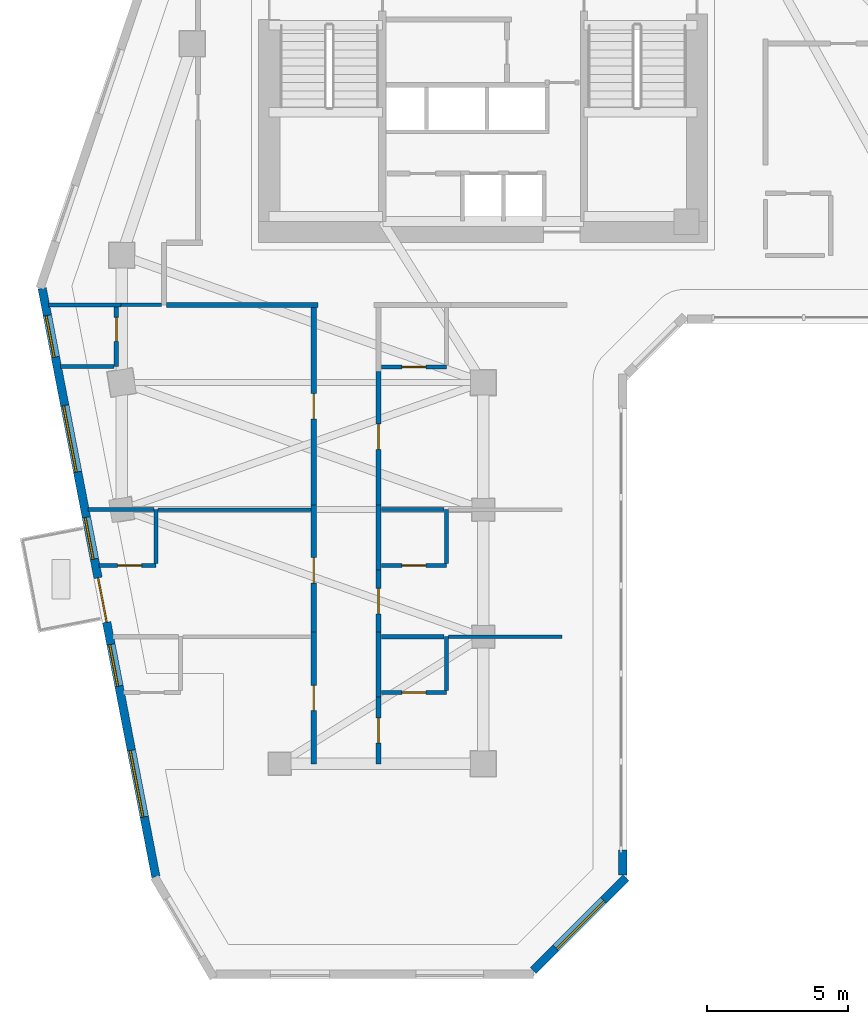
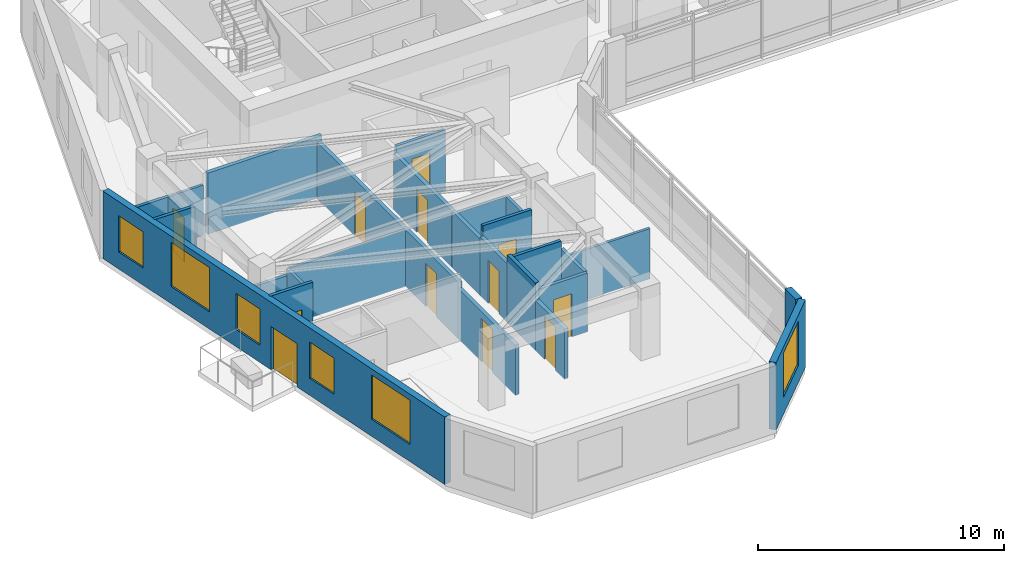
# One storey, part 5 of 12: 28 walls, 12 doors, 6 windows, 18 openings.
"""IFC4 building model written with IfcOpenShell, lengths in metres."""

from ifc_helpers import new_model, si_unit, direction, frame, frame_2d, origin, place, context, subcontext, project, spatial, rectangle, extrude, source, transform, mapped, material, layer, layer_set, type_object, element, fill, save


model = new_model("IFC4")

# Units and contexts
model_context = context("Model", 3, precision=1e-05, world=origin(), true_north=direction((0.0, 1.0)))
body_context = subcontext(model_context, "Body", "Model", "MODEL_VIEW")
ifc_project = project(units=[si_unit("LENGTHUNIT", "METRE"), si_unit("AREAUNIT", "SQUARE_METRE"), si_unit("VOLUMEUNIT", "CUBIC_METRE"), si_unit("PLANEANGLEUNIT", "RADIAN"), si_unit("MASSUNIT", "GRAM", prefix="KILO")], contexts=[model_context])

# Site, building, storey
site_placement = place(None, origin())
site = spatial("IfcSite", under=ifc_project, at=site_placement, CompositionType="ELEMENT")
building_placement = place(site_placement, origin())
building = spatial("IfcBuilding", under=site, at=building_placement, Name="Calvemar Wedge Station Tower", CompositionType="ELEMENT")
storey_placement = place(building_placement, frame((0.0, 0.0, 121.39990234375)))
storey = spatial("IfcBuildingStorey", under=building, at=storey_placement, Name="L29", CompositionType="ELEMENT", Elevation=121.39990234375)

# Wall
ifc_material_1 = material(Name="Double-stud fire-rated corridor partition")
ifc_layer_1 = layer(ifc_material_1, 0.179931640625)
ifc_layer_set_1 = layer_set([ifc_layer_1], Name="Double-stud fire-rated corridor partition")
wall_type_1 = type_object("IfcWallType", Name="W-CORR-180", PredefinedType="PARTITIONING", material=ifc_layer_set_1)
wall_1_placement = place(storey_placement, frame((17.9599609375, 31.25, 0.0), z_axis=(0.0, 0.0, 1.0), x_axis=(-1.0, 0.0, 0.0)))
element("IfcWall", 1, at=wall_1_placement, inside=storey, type_object=wall_type_1, Name="Storey L29 Interior Partition WL-L29-007", PredefinedType="PARTITIONING", context=body_context, shape_type="SweptSolid", body=[
    extrude(rectangle(XDim=5.365966796875, YDim=0.179931640625, at=frame_2d((2.68310546875, 0.0))), origin(), (0.0, 0.0, 1.0), 3.0341796875),
])

# Wall, opening, door
wall_2_placement = place(storey_placement, frame((17.800048828125, 15.0, 0.0), z_axis=(0.0, 0.0, 1.0), x_axis=(0.0, 1.0, 0.0)))
wall_2 = element("IfcWall", 2, at=wall_2_placement, inside=storey, type_object=wall_type_1, Name="Storey L29 Interior Partition WL-L29-043", PredefinedType="PARTITIONING", context=body_context, shape_type="SweptSolid", body=[
    extrude(rectangle(XDim=4.659912109375, YDim=0.179931640625, at=frame_2d((2.330078125, 0.0))), origin(), (0.0, 0.0, 1.0), 2.4921875),
])
shared_shape_1 = source(origin(), body_context, "Body", "SweptSolid", [
    extrude(rectangle(XDim=0.89990234375, YDim=2.14990234375, at=frame_2d((0.449951171875, 1.074951171875))), frame((0.0, 0.10009765625, 0.0), z_axis=(0.0, -1.0, 0.0), x_axis=(1.0, 0.0, 0.0)), (0.0, 0.0, 1.0), 0.199951171875),
])
opening_1_placement = place(wall_2_placement, frame((1.8798828125, 0.0, 0.0)))
opening_1 = element("IfcOpeningElement", 3, at=opening_1_placement, cuts=wall_2, Name="Opening FD-60", PredefinedType="OPENING", context=body_context, shape_type="MappedRepresentation", body=[
    mapped(shared_shape_1, transform((0.0, 0.0, 0.0), scale=1.0)),
])
ifc_material_2 = material(Name="Fire-rated acoustic timber-core entrance door EI 60", Category="wood")
door_type_1 = type_object("IfcDoorType", Name="DR-FD60-900", OperationType="NOTDEFINED", PredefinedType="DOOR", material=ifc_material_2)
shared_shape_2 = source(origin(), body_context, "Body", "SweptSolid", [
    extrude(rectangle(XDim=0.89990234375, YDim=2.14990234375, at=frame_2d((0.449951171875, 1.074951171875))), frame((0.0, 0.02490234375, 0.0), z_axis=(0.0, -1.0, 0.0), x_axis=(1.0, 0.0, 0.0)), (0.0, 0.0, 1.0), 0.050048828125),
])
door_1_placement = place(opening_1_placement, origin())
door_1 = element("IfcDoor", 4, at=door_1_placement, inside=storey, type_object=door_type_1, Name="L29 Hotel Guest Room Door", OperationType="SINGLE_SWING_LEFT", OverallHeight=2.14990234375, OverallWidth=0.89990234375, PredefinedType="DOOR", context=body_context, shape_type="MappedRepresentation", body=[
    mapped(shared_shape_2, transform((0.0, 0.0, 0.0), scale=1.0)),
])
fill(opening_1, door_1)

# Wall
wall_3_placement = place(storey_placement, frame((20.10009765625, 19.659912109375, 0.0), z_axis=(0.0, 0.0, 1.0), x_axis=(0.0, -1.0, 0.0)))
element("IfcWall", 5, at=wall_3_placement, inside=storey, type_object=wall_type_1, Name="Storey L29 Interior Partition WL-L29-044", PredefinedType="PARTITIONING", context=body_context, shape_type="SweptSolid", body=[
    extrude(rectangle(XDim=2.2998046875, YDim=0.179931640625, at=frame_2d((1.14990234375, 0.0))), origin(), (0.0, 0.0, 1.0), 3.35009765625),
])

# Wall, opening, door
wall_4_placement = place(storey_placement, frame((20.10009765625, 17.35791015625, 0.0), z_axis=(0.0, 0.0, 1.0), x_axis=(0.0, -1.0, 0.0)))
wall_4 = element("IfcWall", 6, at=wall_4_placement, inside=storey, type_object=wall_type_1, Name="Storey L29 Interior Partition WL-L29-045", PredefinedType="PARTITIONING", context=body_context, shape_type="SweptSolid", body=[
    extrude(rectangle(XDim=2.35791015625, YDim=0.179931640625, at=frame_2d((1.178955078125, 0.0))), origin(), (0.0, 0.0, 1.0), 2.4921875),
])
opening_2_placement = place(wall_4_placement, frame((0.72900390625, 0.0, 0.0)))
opening_2 = element("IfcOpeningElement", 7, at=opening_2_placement, cuts=wall_4, Name="Opening FD-60", PredefinedType="OPENING", context=body_context, shape_type="MappedRepresentation", body=[
    mapped(shared_shape_1, transform((0.0, 0.0, 0.0), scale=1.0)),
])
door_2_placement = place(opening_2_placement, origin())
door_2 = element("IfcDoor", 8, at=door_2_placement, inside=storey, type_object=door_type_1, Name="L29 Hotel Guest Room Door", OperationType="SINGLE_SWING_LEFT", OverallHeight=2.14990234375, OverallWidth=0.89990234375, PredefinedType="DOOR", context=body_context, shape_type="MappedRepresentation", body=[
    mapped(shared_shape_2, transform((0.0, 0.0, 0.0), scale=1.0)),
])
fill(opening_2, door_2)

wall_5_placement = place(storey_placement, frame((17.800048828125, 19.662109375, 0.0), z_axis=(0.0, 0.0, 1.0), x_axis=(0.0, 1.0, 0.0)))
wall_5 = element("IfcWall", 9, at=wall_5_placement, inside=storey, type_object=wall_type_1, Name="Storey L29 Interior Partition WL-L29-046", PredefinedType="PARTITIONING", context=body_context, shape_type="SweptSolid", body=[
    extrude(rectangle(XDim=4.497802734375, YDim=0.179931640625, at=frame_2d((2.2490234375, 0.0))), origin(), (0.0, 0.0, 1.0), 2.802978515625),
])
opening_3_placement = place(wall_5_placement, frame((1.73828125, 0.0, 0.0)))
opening_3 = element("IfcOpeningElement", 10, at=opening_3_placement, cuts=wall_5, Name="Opening FD-60", PredefinedType="OPENING", context=body_context, shape_type="MappedRepresentation", body=[
    mapped(shared_shape_1, transform((0.0, 0.0, 0.0), scale=1.0)),
])
door_3_placement = place(opening_3_placement, origin())
door_3 = element("IfcDoor", 11, at=door_3_placement, inside=storey, type_object=door_type_1, Name="L29 Hotel Guest Room Door", OperationType="SINGLE_SWING_LEFT", OverallHeight=2.14990234375, OverallWidth=0.89990234375, PredefinedType="DOOR", context=body_context, shape_type="MappedRepresentation", body=[
    mapped(shared_shape_2, transform((0.0, 0.0, 0.0), scale=1.0)),
])
fill(opening_3, door_3)

# Wall
wall_6_placement = place(storey_placement, frame((20.10009765625, 24.159912109375, 0.0), z_axis=(0.0, 0.0, 1.0), x_axis=(0.0, -1.0, 0.0)))
element("IfcWall", 12, at=wall_6_placement, inside=storey, type_object=wall_type_1, Name="Storey L29 Interior Partition WL-L29-047", PredefinedType="PARTITIONING", context=body_context, shape_type="SweptSolid", body=[
    extrude(rectangle(XDim=2.2998046875, YDim=0.179931640625, at=frame_2d((1.14990234375, 0.0))), origin(), (0.0, 0.0, 1.0), 2.802978515625),
])

# Wall, opening, door
wall_7_placement = place(storey_placement, frame((20.10009765625, 21.85791015625, 0.0), z_axis=(0.0, 0.0, 1.0), x_axis=(0.0, -1.0, 0.0)))
wall_7 = element("IfcWall", 13, at=wall_7_placement, inside=storey, type_object=wall_type_1, Name="Storey L29 Interior Partition WL-L29-048", PredefinedType="PARTITIONING", context=body_context, shape_type="SweptSolid", body=[
    extrude(rectangle(XDim=2.19580078125, YDim=0.179931640625, at=frame_2d((1.097900390625, 0.0))), origin(), (0.0, 0.0, 1.0), 2.922119140625),
])
opening_4_placement = place(wall_7_placement, frame((0.64794921875, 0.0, 0.0)))
opening_4 = element("IfcOpeningElement", 14, at=opening_4_placement, cuts=wall_7, Name="Opening FD-60", PredefinedType="OPENING", context=body_context, shape_type="MappedRepresentation", body=[
    mapped(shared_shape_1, transform((0.0, 0.0, 0.0), scale=1.0)),
])
door_4_placement = place(opening_4_placement, origin())
door_4 = element("IfcDoor", 15, at=door_4_placement, inside=storey, type_object=door_type_1, Name="L29 Hotel Guest Room Door", OperationType="SINGLE_SWING_LEFT", OverallHeight=2.14990234375, OverallWidth=0.89990234375, PredefinedType="DOOR", context=body_context, shape_type="MappedRepresentation", body=[
    mapped(shared_shape_2, transform((0.0, 0.0, 0.0), scale=1.0)),
])
fill(opening_4, door_4)

wall_8_placement = place(storey_placement, frame((17.800048828125, 24.162109375, 0.0), z_axis=(0.0, 0.0, 1.0), x_axis=(0.0, 1.0, 0.0)))
wall_8 = element("IfcWall", 16, at=wall_8_placement, inside=storey, type_object=wall_type_1, Name="Storey L29 Interior Partition WL-L29-049", PredefinedType="PARTITIONING", context=body_context, shape_type="SweptSolid", body=[
    extrude(rectangle(XDim=6.993896484375, YDim=0.179931640625, at=frame_2d((3.4970703125, 0.0))), origin(), (0.0, 0.0, 1.0), 2.802978515625),
])
opening_5_placement = place(wall_8_placement, frame((3.047119140625, 0.0, 0.0)))
opening_5 = element("IfcOpeningElement", 17, at=opening_5_placement, cuts=wall_8, Name="Opening FD-60", PredefinedType="OPENING", context=body_context, shape_type="MappedRepresentation", body=[
    mapped(shared_shape_1, transform((0.0, 0.0, 0.0), scale=1.0)),
])
door_5_placement = place(opening_5_placement, origin())
door_5 = element("IfcDoor", 18, at=door_5_placement, inside=storey, type_object=door_type_1, Name="L29 Hotel Guest Room Door", OperationType="SINGLE_SWING_LEFT", OverallHeight=2.14990234375, OverallWidth=0.89990234375, PredefinedType="DOOR", context=body_context, shape_type="MappedRepresentation", body=[
    mapped(shared_shape_2, transform((0.0, 0.0, 0.0), scale=1.0)),
])
fill(opening_5, door_5)

wall_9_placement = place(storey_placement, frame((20.10009765625, 28.887939453125, 0.0), z_axis=(0.0, 0.0, 1.0), x_axis=(0.0, -1.0, 0.0)))
wall_9 = element("IfcWall", 19, at=wall_9_placement, inside=storey, type_object=wall_type_1, Name="Storey L29 Interior Partition WL-L29-051", PredefinedType="PARTITIONING", context=body_context, shape_type="SweptSolid", body=[
    extrude(rectangle(XDim=4.725830078125, YDim=0.179931640625, at=frame_2d((2.36279296875, 0.0))), origin(), (0.0, 0.0, 1.0), 2.802978515625),
])
opening_6_placement = place(wall_9_placement, frame((1.8525390625, 0.0, 0.0)))
opening_6 = element("IfcOpeningElement", 20, at=opening_6_placement, cuts=wall_9, Name="Opening FD-60", PredefinedType="OPENING", context=body_context, shape_type="MappedRepresentation", body=[
    mapped(shared_shape_1, transform((0.0, 0.0, 0.0), scale=1.0)),
])
door_6_placement = place(opening_6_placement, origin())
door_6 = element("IfcDoor", 21, at=door_6_placement, inside=storey, type_object=door_type_1, Name="L29 Hotel Guest Room Door", OperationType="SINGLE_SWING_LEFT", OverallHeight=2.14990234375, OverallWidth=0.89990234375, PredefinedType="DOOR", context=body_context, shape_type="MappedRepresentation", body=[
    mapped(shared_shape_2, transform((0.0, 0.0, 0.0), scale=1.0)),
])
fill(opening_6, door_6)

# Wall, opening, window
ifc_material_3 = material(Name="Precast concrete C45", Category="concrete")
ifc_layer_2 = layer(ifc_material_3, 0.300048828125)
ifc_layer_set_2 = layer_set([ifc_layer_2], Name="Precast concrete C45")
wall_type_2 = type_object("IfcWallType", Name="W-EXT-GFRC-300", PredefinedType="SOLIDWALL", material=ifc_layer_set_2)
wall_10_placement = place(storey_placement, frame((25.572021484375, 7.68798828125, 0.0), z_axis=(0.0, 0.0, 1.0), x_axis=(0.70708046583, 0.707133095564, 0.0)))
wall_10 = element("IfcWall", 22, at=wall_10_placement, inside=storey, type_object=wall_type_2, Name="Storey L29 Bronze GFRC Exterior Wall 3", PredefinedType="SOLIDWALL", context=body_context, shape_type="SweptSolid", body=[
    extrude(rectangle(XDim=4.638916015625, YDim=0.300048828125, at=frame_2d((2.3193359375, 0.0))), origin(), (0.0, 0.0, 1.0), 3.35009765625),
])
shared_shape_3 = source(origin(), body_context, "Body", "SweptSolid", [
    extrude(rectangle(XDim=2.39990234375, YDim=2.199951171875, at=frame_2d((1.199951171875, 1.10009765625))), frame((0.0, 0.16015625, 0.0), z_axis=(0.0, -1.0, 0.0), x_axis=(1.0, 0.0, 0.0)), (0.0, 0.0, 1.0), 0.320068359375),
])
opening_7_placement = place(wall_10_placement, frame((1.118896484375, 0.0, 0.85009765625)))
opening_7 = element("IfcOpeningElement", 23, at=opening_7_placement, cuts=wall_10, Name="Opening W1", PredefinedType="OPENING", context=body_context, shape_type="MappedRepresentation", body=[
    mapped(shared_shape_3, transform((0.0, 0.0, 0.0), scale=1.0)),
])
ifc_material_4 = material(Name="Low-E laminated insulated glass", Category="glass")
window_type_1 = type_object("IfcWindowType", Name="WIN-EXT-1", PartitioningType="SINGLE_PANEL", PredefinedType="WINDOW", material=ifc_material_4)
shared_shape_4 = source(origin(), body_context, "Body", "SweptSolid", [
    extrude(rectangle(XDim=2.39990234375, YDim=2.199951171875, at=frame_2d((1.199951171875, 1.10009765625))), frame((0.0, -0.014892578125, 0.0), z_axis=(0.0, -1.0, 0.0), x_axis=(1.0, 0.0, 0.0)), (0.0, 0.0, 1.0), 0.06005859375),
])
window_1_placement = place(opening_7_placement, origin())
window_1 = element("IfcWindow", 24, at=window_1_placement, inside=storey, type_object=window_type_1, Name="Storey L29 Recessed Window 3.1", OverallHeight=2.199951171875, OverallWidth=2.39990234375, PartitioningType="SINGLE_PANEL", PredefinedType="WINDOW", context=body_context, shape_type="MappedRepresentation", body=[
    mapped(shared_shape_4, transform((0.0, 0.0, 0.0), scale=1.0)),
])
fill(opening_7, window_1)

# Wall
wall_11_placement = place(storey_placement, frame((28.74609375, 11.057373046875, 0.0), z_axis=(0.0, 0.0, 1.0), x_axis=(0.0, 1.0, 0.0)))
element("IfcWall", 25, at=wall_11_placement, inside=storey, type_object=wall_type_2, Name="Storey L29 Bronze GFRC Corner Pier 4A", PredefinedType="SOLIDWALL", context=body_context, shape_type="SweptSolid", body=[
    extrude(rectangle(XDim=0.88232421875, YDim=0.300048828125, at=frame_2d((0.441162109375, 0.0))), origin(), (0.0, 0.0, 1.0), 3.35009765625),
])

# Wall, openings, windows, door
wall_12_placement = place(storey_placement, frame((8.184814453125, 31.833740234375, 0.0), z_axis=(0.0, 0.0, 1.0), x_axis=(0.189707113148, -0.981840725994, 0.0)))
wall_12 = element("IfcWall", 26, at=wall_12_placement, inside=storey, type_object=wall_type_2, Name="Storey L29 Bronze GFRC Exterior Wall 13", PredefinedType="SOLIDWALL", context=body_context, shape_type="SweptSolid", body=[
    extrude(rectangle(XDim=21.221435546875, YDim=0.300048828125, at=frame_2d((10.61083984375, 0.0))), origin(), (0.0, 0.0, 1.0), 3.35009765625),
])
shared_shape_5 = source(origin(), body_context, "Body", "SweptSolid", [
    extrude(rectangle(XDim=1.60009765625, YDim=2.14990234375, at=frame_2d((0.800048828125, 1.074951171875))), frame((0.0, 0.16015625, 0.0), z_axis=(0.0, -1.0, 0.0), x_axis=(1.0, 0.0, 0.0)), (0.0, 0.0, 1.0), 0.320068359375),
])
opening_8_placement = place(wall_12_placement, frame((10.44091796875, 0.0, 0.0)))
opening_8 = element("IfcOpeningElement", 27, at=opening_8_placement, cuts=wall_12, Name="Opening DT1", PredefinedType="OPENING", context=body_context, shape_type="MappedRepresentation", body=[
    mapped(shared_shape_5, transform((0.0, 0.0, 0.0), scale=1.0)),
])
shared_shape_6 = source(origin(), body_context, "Body", "SweptSolid", [
    extrude(rectangle(XDim=1.5, YDim=1.800048828125, at=frame_2d((0.75, 0.89990234375))), frame((0.0, 0.16015625, 0.0), z_axis=(0.0, -1.0, 0.0), x_axis=(1.0, 0.0, 0.0)), (0.0, 0.0, 1.0), 0.320068359375),
])
opening_9_placement = place(wall_12_placement, frame((0.97705078125, 0.0, 0.85009765625)))
opening_9 = element("IfcOpeningElement", 28, at=opening_9_placement, cuts=wall_12, Name="Opening W3", PredefinedType="OPENING", context=body_context, shape_type="MappedRepresentation", body=[
    mapped(shared_shape_6, transform((0.0, 0.0, 0.0), scale=1.0)),
])
opening_10_placement = place(wall_12_placement, frame((4.218994140625, 0.0, 0.85009765625)))
opening_10 = element("IfcOpeningElement", 29, at=opening_10_placement, cuts=wall_12, Name="Opening W1", PredefinedType="OPENING", context=body_context, shape_type="MappedRepresentation", body=[
    mapped(shared_shape_3, transform((0.0, 0.0, 0.0), scale=1.0)),
])
opening_11_placement = place(wall_12_placement, frame((8.259033203125, 0.0, 0.85009765625)))
opening_11 = element("IfcOpeningElement", 30, at=opening_11_placement, cuts=wall_12, Name="Opening W3", PredefinedType="OPENING", context=body_context, shape_type="MappedRepresentation", body=[
    mapped(shared_shape_6, transform((0.0, 0.0, 0.0), scale=1.0)),
])
opening_12_placement = place(wall_12_placement, frame((12.842041015625, 0.0, 0.85009765625)))
opening_12 = element("IfcOpeningElement", 31, at=opening_12_placement, cuts=wall_12, Name="Opening W3", PredefinedType="OPENING", context=body_context, shape_type="MappedRepresentation", body=[
    mapped(shared_shape_6, transform((0.0, 0.0, 0.0), scale=1.0)),
])
opening_13_placement = place(wall_12_placement, frame((16.660888671875, 0.0, 0.85009765625)))
opening_13 = element("IfcOpeningElement", 32, at=opening_13_placement, cuts=wall_12, Name="Opening W1", PredefinedType="OPENING", context=body_context, shape_type="MappedRepresentation", body=[
    mapped(shared_shape_3, transform((0.0, 0.0, 0.0), scale=1.0)),
])
window_2_placement = place(opening_10_placement, origin())
window_2 = element("IfcWindow", 33, at=window_2_placement, inside=storey, type_object=window_type_1, Name="Storey L29 Recessed Window 13.2", OverallHeight=2.199951171875, OverallWidth=2.39990234375, PartitioningType="SINGLE_PANEL", PredefinedType="WINDOW", context=body_context, shape_type="MappedRepresentation", body=[
    mapped(shared_shape_4, transform((0.0, 0.0, 0.0), scale=1.0)),
])
fill(opening_10, window_2)
window_3_placement = place(opening_13_placement, origin())
window_3 = element("IfcWindow", 34, at=window_3_placement, inside=storey, type_object=window_type_1, Name="Storey L29 Recessed Window 13.5", OverallHeight=2.199951171875, OverallWidth=2.39990234375, PartitioningType="SINGLE_PANEL", PredefinedType="WINDOW", context=body_context, shape_type="MappedRepresentation", body=[
    mapped(shared_shape_4, transform((0.0, 0.0, 0.0), scale=1.0)),
])
fill(opening_13, window_3)
ifc_material_5 = material(Name="Anodised aluminium 6063-T6", Category="aluminium")
door_type_2 = type_object("IfcDoorType", Name="DR-TERR-1600", OperationType="DOUBLE_DOOR_SLIDING", PredefinedType="DOOR", material=ifc_material_5)
shared_shape_7 = source(origin(), body_context, "Body", "SweptSolid", [
    extrude(rectangle(XDim=1.60009765625, YDim=2.14990234375, at=frame_2d((0.800048828125, 1.074951171875))), frame((0.0, 0.02490234375, 0.0), z_axis=(0.0, -1.0, 0.0), x_axis=(1.0, 0.0, 0.0)), (0.0, 0.0, 1.0), 0.050048828125),
])
door_7_placement = place(opening_8_placement, origin())
door_7 = element("IfcDoor", 35, at=door_7_placement, inside=storey, type_object=door_type_2, Name="Storey L29 Spiral Terrace Door", OperationType="DOUBLE_DOOR_SLIDING", OverallHeight=2.14990234375, OverallWidth=1.60009765625, PredefinedType="DOOR", context=body_context, shape_type="MappedRepresentation", body=[
    mapped(shared_shape_7, transform((0.0, 0.0, 0.0), scale=1.0)),
])
fill(opening_8, door_7)
window_type_2 = type_object("IfcWindowType", Name="WIN-EXT-3", PartitioningType="SINGLE_PANEL", PredefinedType="WINDOW", material=ifc_material_4)
shared_shape_8 = source(origin(), body_context, "Body", "SweptSolid", [
    extrude(rectangle(XDim=1.5, YDim=1.800048828125, at=frame_2d((0.75, 0.89990234375))), frame((0.0, -0.014892578125, 0.0), z_axis=(0.0, -1.0, 0.0), x_axis=(1.0, 0.0, 0.0)), (0.0, 0.0, 1.0), 0.06005859375),
])
window_4_placement = place(opening_9_placement, origin())
window_4 = element("IfcWindow", 36, at=window_4_placement, inside=storey, type_object=window_type_2, Name="Storey L29 Recessed Window 13.1", OverallHeight=1.800048828125, OverallWidth=1.5, PartitioningType="SINGLE_PANEL", PredefinedType="WINDOW", context=body_context, shape_type="MappedRepresentation", body=[
    mapped(shared_shape_8, transform((0.0, 0.0, 0.0), scale=1.0)),
])
fill(opening_9, window_4)
window_5_placement = place(opening_11_placement, origin())
window_5 = element("IfcWindow", 37, at=window_5_placement, inside=storey, type_object=window_type_2, Name="Storey L29 Recessed Window 13.3", OverallHeight=1.800048828125, OverallWidth=1.5, PartitioningType="SINGLE_PANEL", PredefinedType="WINDOW", context=body_context, shape_type="MappedRepresentation", body=[
    mapped(shared_shape_8, transform((0.0, 0.0, 0.0), scale=1.0)),
])
fill(opening_11, window_5)
window_6_placement = place(opening_12_placement, origin())
window_6 = element("IfcWindow", 38, at=window_6_placement, inside=storey, type_object=window_type_2, Name="Storey L29 Recessed Window 13.4", OverallHeight=1.800048828125, OverallWidth=1.5, PartitioningType="SINGLE_PANEL", PredefinedType="WINDOW", context=body_context, shape_type="MappedRepresentation", body=[
    mapped(shared_shape_8, transform((0.0, 0.0, 0.0), scale=1.0)),
])
fill(opening_12, window_6)

# Walls
ifc_material_6 = material(Name="Insulated acoustic gypsum stud partition")
ifc_layer_3 = layer(ifc_material_6, 0.125)
ifc_layer_set_3 = layer_set([ifc_layer_3], Name="Insulated acoustic gypsum stud partition")
wall_type_3 = type_object("IfcWallType", Name="W-PART-125", PredefinedType="PARTITIONING", material=ifc_layer_set_3)
wall_13_placement = place(storey_placement, frame((12.406005859375, 31.25, 0.0), z_axis=(0.0, 0.0, 1.0), x_axis=(-1.0, 0.0, 0.0)))
element("IfcWall", 39, at=wall_13_placement, inside=storey, type_object=wall_type_3, Name="Storey L29 Interior Partition WL-L29-018", PredefinedType="PARTITIONING", context=body_context, shape_type="SweptSolid", body=[
    extrude(rectangle(XDim=1.43310546875, YDim=0.125, at=frame_2d((0.716552734375, 0.0))), origin(), (0.0, 0.0, 1.0), 2.4921875),
])
wall_14_placement = place(storey_placement, frame((22.5791015625, 19.5, 0.0), z_axis=(0.0, 0.0, 1.0), x_axis=(1.0, 0.0, 0.0)))
element("IfcWall", 40, at=wall_14_placement, inside=storey, type_object=wall_type_3, Name="Storey L29 Interior Partition WL-L29-059", PredefinedType="PARTITIONING", context=body_context, shape_type="SweptSolid", body=[
    extrude(rectangle(XDim=4.02099609375, YDim=0.125, at=frame_2d((2.010498046875, 0.0))), origin(), (0.0, 0.0, 1.0), 2.4921875),
])
wall_15_placement = place(storey_placement, frame((12.294677734375, 24.0, 0.0), z_axis=(0.0, 0.0, 1.0), x_axis=(1.0, 0.0, 0.0)))
element("IfcWall", 41, at=wall_15_placement, inside=storey, type_object=wall_type_3, Name="Storey L29 Interior Partition WL-L29-063", PredefinedType="PARTITIONING", context=body_context, shape_type="SweptSolid", body=[
    extrude(rectangle(XDim=5.411376953125, YDim=0.125, at=frame_2d((2.70556640625, 0.0))), origin(), (0.0, 0.0, 1.0), 2.802978515625),
])
ifc_material_7 = material(Name="Moisture-resistant acoustic bathroom partition")
ifc_layer_4 = layer(ifc_material_7, 0.14990234375)
ifc_layer_set_4 = layer_set([ifc_layer_4], Name="Moisture-resistant acoustic bathroom partition")
wall_type_4 = type_object("IfcWallType", Name="W-WET-150", PredefinedType="PARTITIONING", material=ifc_layer_set_4)
wall_16_placement = place(storey_placement, frame((10.970947265625, 31.25, 0.0), z_axis=(0.0, 0.0, 1.0), x_axis=(-1.0, 0.0, 0.0)))
element("IfcWall", 42, at=wall_16_placement, inside=storey, type_object=wall_type_4, Name="Storey L29 Interior Partition WL-L29-017", PredefinedType="PARTITIONING", context=body_context, shape_type="SweptSolid", body=[
    extrude(rectangle(XDim=2.55615234375, YDim=0.14990234375, at=frame_2d((1.278076171875, 0.0))), origin(), (0.0, 0.0, 1.0), 2.4921875),
])

# Wall, opening, door
wall_17_placement = place(storey_placement, frame((22.5, 17.52001953125, 0.0), z_axis=(0.0, 0.0, 1.0), x_axis=(-1.0, 0.0, 0.0)))
wall_17 = element("IfcWall", 43, at=wall_17_placement, inside=storey, type_object=wall_type_4, Name="Storey L29 Interior Partition WL-L29-056", PredefinedType="PARTITIONING", context=body_context, shape_type="SweptSolid", body=[
    extrude(rectangle(XDim=2.305908203125, YDim=0.14990234375, at=frame_2d((1.15283203125, 0.0))), origin(), (0.0, 0.0, 1.0), 2.922119140625),
])
shared_shape_9 = source(origin(), body_context, "Body", "SweptSolid", [
    extrude(rectangle(XDim=0.85009765625, YDim=2.14990234375, at=frame_2d((0.425048828125, 1.074951171875))), frame((0.0, 0.0849609375, 0.0), z_axis=(0.0, -1.0, 0.0), x_axis=(1.0, 0.0, 0.0)), (0.0, 0.0, 1.0), 0.169921875),
])
opening_14_placement = place(wall_17_placement, frame((0.72802734375, 0.0, 0.0)))
opening_14 = element("IfcOpeningElement", 44, at=opening_14_placement, cuts=wall_17, Name="Opening D-02", PredefinedType="OPENING", context=body_context, shape_type="MappedRepresentation", body=[
    mapped(shared_shape_9, transform((0.0, 0.0, 0.0), scale=1.0)),
])
ifc_material_8 = material(Name="Moisture-sealed bathroom hardwood swing door", Category="wood")
door_type_3 = type_object("IfcDoorType", Name="DR-WET-850", OperationType="NOTDEFINED", PredefinedType="DOOR", material=ifc_material_8)
shared_shape_10 = source(origin(), body_context, "Body", "SweptSolid", [
    extrude(rectangle(XDim=0.85009765625, YDim=2.14990234375, at=frame_2d((0.425048828125, 1.074951171875))), frame((0.0, 0.02490234375, 0.0), z_axis=(0.0, -1.0, 0.0), x_axis=(1.0, 0.0, 0.0)), (0.0, 0.0, 1.0), 0.050048828125),
])
door_8_placement = place(opening_14_placement, origin())
door_8 = element("IfcDoor", 45, at=door_8_placement, inside=storey, type_object=door_type_3, Name="L29 En-Suite Bathroom Door", OperationType="SINGLE_SWING_RIGHT", OverallHeight=2.14990234375, OverallWidth=0.85009765625, PredefinedType="DOOR", context=body_context, shape_type="MappedRepresentation", body=[
    mapped(shared_shape_10, transform((0.0, 0.0, 0.0), scale=1.0)),
])
fill(opening_14, door_8)

# Walls
wall_18_placement = place(storey_placement, frame((22.5, 19.5, 0.0), z_axis=(0.0, 0.0, 1.0), x_axis=(0.0, -1.0, 0.0)))
element("IfcWall", 46, at=wall_18_placement, inside=storey, type_object=wall_type_4, Name="Storey L29 Interior Partition WL-L29-057", PredefinedType="PARTITIONING", context=body_context, shape_type="SweptSolid", body=[
    extrude(rectangle(XDim=1.90087890625, YDim=0.14990234375, at=frame_2d((0.950439453125, 0.0))), origin(), (0.0, 0.0, 1.0), 2.922119140625),
])
wall_19_placement = place(storey_placement, frame((20.194091796875, 19.5, 0.0), z_axis=(0.0, 0.0, 1.0), x_axis=(1.0, 0.0, 0.0)))
element("IfcWall", 47, at=wall_19_placement, inside=storey, type_object=wall_type_4, Name="Storey L29 Interior Partition WL-L29-058", PredefinedType="PARTITIONING", context=body_context, shape_type="SweptSolid", body=[
    extrude(rectangle(XDim=2.226806640625, YDim=0.14990234375, at=frame_2d((1.11328125, 0.0))), origin(), (0.0, 0.0, 1.0), 3.35009765625),
])

# Wall, opening, door
wall_20_placement = place(storey_placement, frame((12.215576171875, 22.02001953125, 0.0), z_axis=(0.0, 0.0, 1.0), x_axis=(-1.0, 0.0, 0.0)))
wall_20 = element("IfcWall", 48, at=wall_20_placement, inside=storey, type_object=wall_type_4, Name="Storey L29 Interior Partition WL-L29-060", PredefinedType="PARTITIONING", context=body_context, shape_type="SweptSolid", body=[
    extrude(rectangle(XDim=2.017578125, YDim=0.14990234375, at=frame_2d((1.0087890625, 0.0))), origin(), (0.0, 0.0, 1.0), 3.35009765625),
])
opening_15_placement = place(wall_20_placement, frame((0.5078125, 0.0, 0.0)))
opening_15 = element("IfcOpeningElement", 49, at=opening_15_placement, cuts=wall_20, Name="Opening D-02", PredefinedType="OPENING", context=body_context, shape_type="MappedRepresentation", body=[
    mapped(shared_shape_9, transform((0.0, 0.0, 0.0), scale=1.0)),
])
door_9_placement = place(opening_15_placement, origin())
door_9 = element("IfcDoor", 50, at=door_9_placement, inside=storey, type_object=door_type_3, Name="L29 En-Suite Bathroom Door", OperationType="SINGLE_SWING_RIGHT", OverallHeight=2.14990234375, OverallWidth=0.85009765625, PredefinedType="DOOR", context=body_context, shape_type="MappedRepresentation", body=[
    mapped(shared_shape_10, transform((0.0, 0.0, 0.0), scale=1.0)),
])
fill(opening_15, door_9)

# Walls
wall_21_placement = place(storey_placement, frame((12.215576171875, 24.0, 0.0), z_axis=(0.0, 0.0, 1.0), x_axis=(0.0, -1.0, 0.0)))
element("IfcWall", 51, at=wall_21_placement, inside=storey, type_object=wall_type_4, Name="Storey L29 Interior Partition WL-L29-061", PredefinedType="PARTITIONING", context=body_context, shape_type="SweptSolid", body=[
    extrude(rectangle(XDim=1.90087890625, YDim=0.14990234375, at=frame_2d((0.950439453125, 0.0))), origin(), (0.0, 0.0, 1.0), 2.802978515625),
])
wall_22_placement = place(storey_placement, frame((9.815673828125, 24.0, 0.0), z_axis=(0.0, 0.0, 1.0), x_axis=(1.0, 0.0, 0.0)))
element("IfcWall", 52, at=wall_22_placement, inside=storey, type_object=wall_type_4, Name="Storey L29 Interior Partition WL-L29-062", PredefinedType="PARTITIONING", context=body_context, shape_type="SweptSolid", body=[
    extrude(rectangle(XDim=2.321044921875, YDim=0.14990234375, at=frame_2d((1.16064453125, 0.0))), origin(), (0.0, 0.0, 1.0), 2.4921875),
])

# Wall, opening, door
wall_23_placement = place(storey_placement, frame((22.5, 22.02001953125, 0.0), z_axis=(0.0, 0.0, 1.0), x_axis=(-1.0, 0.0, 0.0)))
wall_23 = element("IfcWall", 53, at=wall_23_placement, inside=storey, type_object=wall_type_4, Name="Storey L29 Interior Partition WL-L29-064", PredefinedType="PARTITIONING", context=body_context, shape_type="SweptSolid", body=[
    extrude(rectangle(XDim=2.305908203125, YDim=0.14990234375, at=frame_2d((1.15283203125, 0.0))), origin(), (0.0, 0.0, 1.0), 3.35009765625),
])
opening_16_placement = place(wall_23_placement, frame((0.72802734375, 0.0, 0.0)))
opening_16 = element("IfcOpeningElement", 54, at=opening_16_placement, cuts=wall_23, Name="Opening D-02", PredefinedType="OPENING", context=body_context, shape_type="MappedRepresentation", body=[
    mapped(shared_shape_9, transform((0.0, 0.0, 0.0), scale=1.0)),
])
door_10_placement = place(opening_16_placement, origin())
door_10 = element("IfcDoor", 55, at=door_10_placement, inside=storey, type_object=door_type_3, Name="L29 En-Suite Bathroom Door", OperationType="SINGLE_SWING_RIGHT", OverallHeight=2.14990234375, OverallWidth=0.85009765625, PredefinedType="DOOR", context=body_context, shape_type="MappedRepresentation", body=[
    mapped(shared_shape_10, transform((0.0, 0.0, 0.0), scale=1.0)),
])
fill(opening_16, door_10)

# Walls
wall_24_placement = place(storey_placement, frame((22.5, 24.0, 0.0), z_axis=(0.0, 0.0, 1.0), x_axis=(0.0, -1.0, 0.0)))
element("IfcWall", 56, at=wall_24_placement, inside=storey, type_object=wall_type_4, Name="Storey L29 Interior Partition WL-L29-065", PredefinedType="PARTITIONING", context=body_context, shape_type="SweptSolid", body=[
    extrude(rectangle(XDim=1.90087890625, YDim=0.14990234375, at=frame_2d((0.950439453125, 0.0))), origin(), (0.0, 0.0, 1.0), 2.802978515625),
])
wall_25_placement = place(storey_placement, frame((20.194091796875, 24.0, 0.0), z_axis=(0.0, 0.0, 1.0), x_axis=(1.0, 0.0, 0.0)))
element("IfcWall", 57, at=wall_25_placement, inside=storey, type_object=wall_type_4, Name="Storey L29 Interior Partition WL-L29-066", PredefinedType="PARTITIONING", context=body_context, shape_type="SweptSolid", body=[
    extrude(rectangle(XDim=2.226806640625, YDim=0.14990234375, at=frame_2d((1.11328125, 0.0))), origin(), (0.0, 0.0, 1.0), 2.802978515625),
])

# Wall, opening, door
wall_26_placement = place(storey_placement, frame((10.810791015625, 31.1708984375, 0.0), z_axis=(0.0, 0.0, 1.0), x_axis=(0.0, -1.0, 0.0)))
wall_26 = element("IfcWall", 58, at=wall_26_placement, inside=storey, type_object=wall_type_4, Name="Storey L29 Interior Partition WL-L29-068", PredefinedType="PARTITIONING", context=body_context, shape_type="SweptSolid", body=[
    extrude(rectangle(XDim=2.100830078125, YDim=0.14990234375, at=frame_2d((1.05029296875, 0.0))), origin(), (0.0, 0.0, 1.0), 2.4921875),
])
opening_17_placement = place(wall_26_placement, frame((0.366455078125, 0.0, 0.0)))
opening_17 = element("IfcOpeningElement", 59, at=opening_17_placement, cuts=wall_26, Name="Opening D-02", PredefinedType="OPENING", context=body_context, shape_type="MappedRepresentation", body=[
    mapped(shared_shape_9, transform((0.0, 0.0, 0.0), scale=1.0)),
])
door_11_placement = place(opening_17_placement, origin())
door_11 = element("IfcDoor", 60, at=door_11_placement, inside=storey, type_object=door_type_3, Name="L29 En-Suite Bathroom Door", OperationType="SINGLE_SWING_RIGHT", OverallHeight=2.14990234375, OverallWidth=0.85009765625, PredefinedType="DOOR", context=body_context, shape_type="MappedRepresentation", body=[
    mapped(shared_shape_10, transform((0.0, 0.0, 0.0), scale=1.0)),
])
fill(opening_17, door_11)

# Wall
wall_27_placement = place(storey_placement, frame((10.73193359375, 29.070068359375, 0.0), z_axis=(0.0, 0.0, 1.0), x_axis=(-1.0, 0.0, 0.0)))
element("IfcWall", 61, at=wall_27_placement, inside=storey, type_object=wall_type_4, Name="Storey L29 Interior Partition WL-L29-069", PredefinedType="PARTITIONING", context=body_context, shape_type="SweptSolid", body=[
    extrude(rectangle(XDim=1.89599609375, YDim=0.14990234375, at=frame_2d((0.947998046875, 0.0))), origin(), (0.0, 0.0, 1.0), 3.35009765625),
])

# Wall, opening, door
wall_28_placement = place(storey_placement, frame((22.5, 29.050048828125, 0.0), z_axis=(0.0, 0.0, 1.0), x_axis=(-1.0, 0.0, 0.0)))
wall_28 = element("IfcWall", 62, at=wall_28_placement, inside=storey, type_object=wall_type_4, Name="Storey L29 Interior Partition WL-L29-070", PredefinedType="PARTITIONING", context=body_context, shape_type="SweptSolid", body=[
    extrude(rectangle(XDim=2.305908203125, YDim=0.14990234375, at=frame_2d((1.15283203125, 0.0))), origin(), (0.0, 0.0, 1.0), 3.0341796875),
])
opening_18_placement = place(wall_28_placement, frame((0.72802734375, 0.0, 0.0)))
opening_18 = element("IfcOpeningElement", 63, at=opening_18_placement, cuts=wall_28, Name="Opening D-02", PredefinedType="OPENING", context=body_context, shape_type="MappedRepresentation", body=[
    mapped(shared_shape_9, transform((0.0, 0.0, 0.0), scale=1.0)),
])
door_12_placement = place(opening_18_placement, origin())
door_12 = element("IfcDoor", 64, at=door_12_placement, inside=storey, type_object=door_type_3, Name="L29 En-Suite Bathroom Door", OperationType="SINGLE_SWING_RIGHT", OverallHeight=2.14990234375, OverallWidth=0.85009765625, PredefinedType="DOOR", context=body_context, shape_type="MappedRepresentation", body=[
    mapped(shared_shape_10, transform((0.0, 0.0, 0.0), scale=1.0)),
])
fill(opening_18, door_12)

save(model, "model.ifc")
